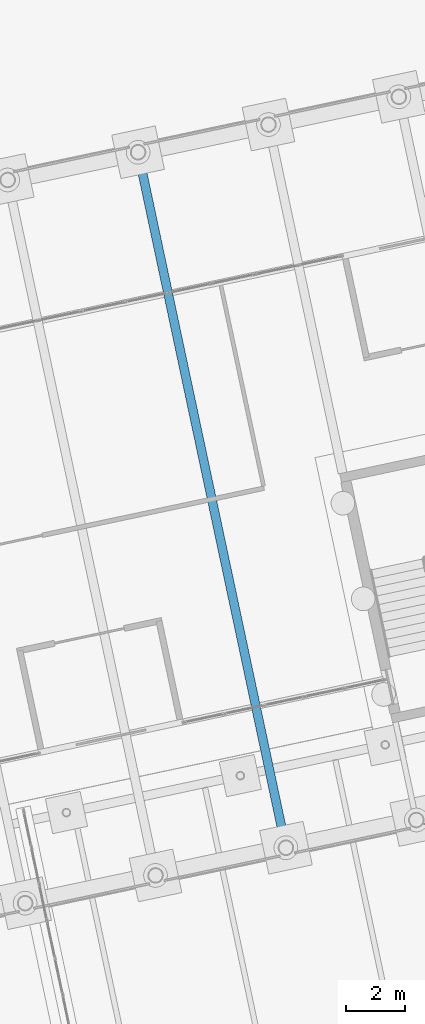
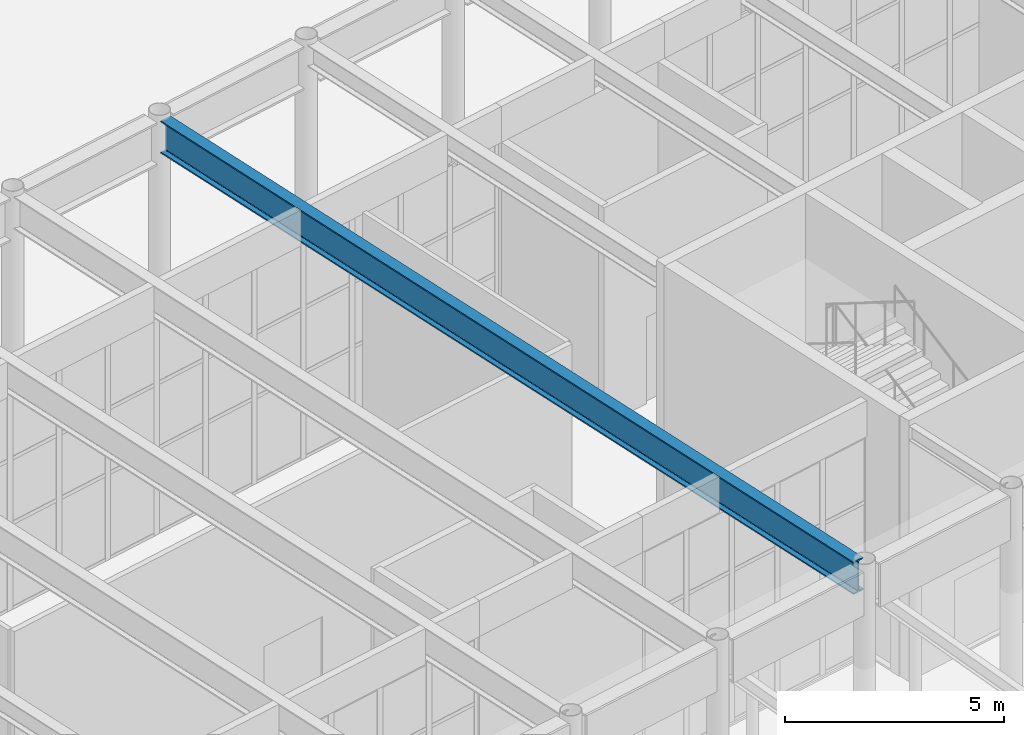
# One storey, part 81 of 239: 1 beam.
"""IFC4 building model written with IfcOpenShell, lengths in metres."""

from ifc_helpers import new_model, si_unit, direction, frame, origin, origin_2d, place, context, subcontext, project, spatial, i_section, extrude, material, material_profile, profile_set, type_object, element, save


model = new_model("IFC4")

# Units and contexts
model_context = context("Model", 3, precision=1e-05, world=origin(), true_north=direction((0.0, 1.0)))
body_context = subcontext(model_context, "Body", "Model", "MODEL_VIEW")
ifc_project = project(units=[si_unit("LENGTHUNIT", "METRE"), si_unit("AREAUNIT", "SQUARE_METRE"), si_unit("VOLUMEUNIT", "CUBIC_METRE"), si_unit("PLANEANGLEUNIT", "RADIAN"), si_unit("MASSUNIT", "GRAM", prefix="KILO")], contexts=[model_context])

# Site, building, storey
site_placement = place(None, origin())
site = spatial("IfcSite", under=ifc_project, at=site_placement, CompositionType="ELEMENT")
building_placement = place(site_placement, origin())
building = spatial("IfcBuilding", under=site, at=building_placement, Name="Okhra Congress Centre", CompositionType="ELEMENT")
storey_placement = place(building_placement, origin())
storey = spatial("IfcBuildingStorey", under=building, at=storey_placement, Name="L00", CompositionType="ELEMENT", Elevation=0.0)

# Beam
ifc_material = material(Name="Steel S355J2", Category="steel")
ifc_material_profile = material_profile(ifc_material, i_section(OverallWidth=0.300048828125, OverallDepth=0.89990234375, WebThickness=0.0185546875, FlangeThickness=0.034912109375, FilletRadius=0.030029296875, at=origin_2d()), Name="HE 900 B")
ifc_profile_set = profile_set([ifc_material_profile], Name="Steel S355J2")
beam_type = type_object("IfcBeamType", Name="Floor beam HE 900 B", PredefinedType="BEAM", material=ifc_profile_set)
beam_placement = place(storey_placement, frame((131.39599609375, 41.974609375, 6.60009765625), z_axis=(-0.20791307081, 0.978147307406, 0.0), x_axis=(-0.978147307406, -0.20791307081, 0.0)))
element("IfcBeam", 1, at=beam_placement, inside=storey, type_object=beam_type, Name="Floor beam 16.1", PredefinedType="BEAM", context=body_context, shape_type="SweptSolid", body=[
    extrude(i_section(OverallWidth=0.300048828125, OverallDepth=0.89990234375, WebThickness=0.0185546875, FlangeThickness=0.034912109375, FilletRadius=0.030029296875, at=origin_2d()), origin(), (0.0, 0.0, 1.0), 23.599853515625),
])

save(model, "model.ifc")
